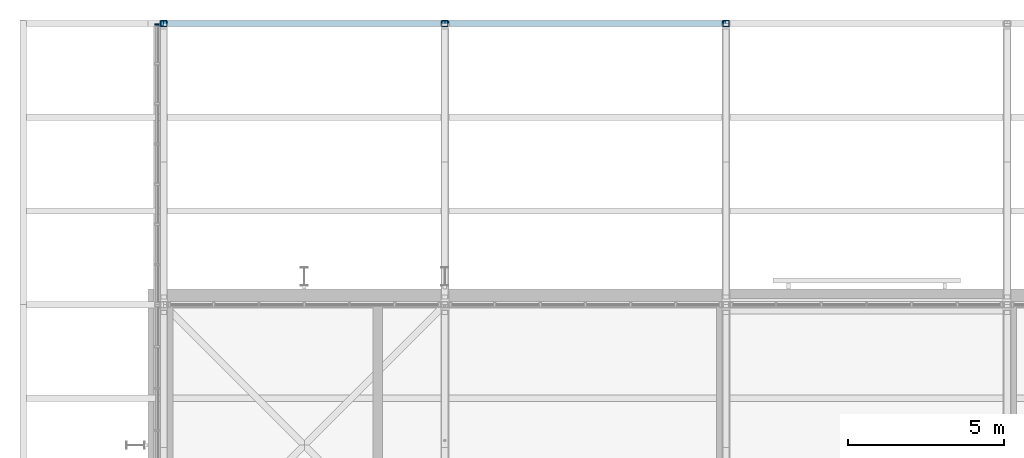
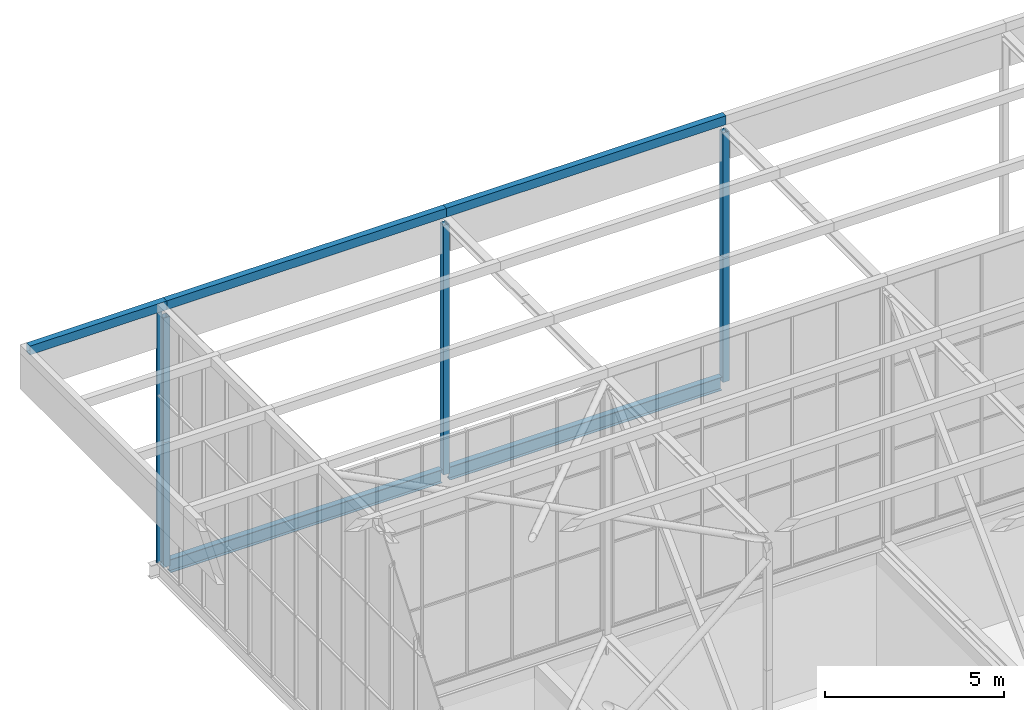
# One storey, part 116 of 646: 10 members, 2 beams, 1 element without a shape of its own.
"""IFC4 building model written with IfcOpenShell, lengths in metres."""

from ifc_helpers import new_model, si_unit, direction, frame, origin, origin_2d, place, context, subcontext, project, spatial, rectangle, hollow_rectangle, i_section, extrude, material, material_profile, profile_set, type_object, element, aggregate, save


model = new_model("IFC4")

# Units and contexts
model_context = context("Model", 3, precision=1e-05, world=origin(), true_north=direction((0.0, 1.0)))
body_context = subcontext(model_context, "Body", "Model", "MODEL_VIEW")
ifc_project = project(units=[si_unit("LENGTHUNIT", "METRE"), si_unit("AREAUNIT", "SQUARE_METRE"), si_unit("VOLUMEUNIT", "CUBIC_METRE"), si_unit("PLANEANGLEUNIT", "RADIAN"), si_unit("MASSUNIT", "GRAM", prefix="KILO")], contexts=[model_context])

# Site, building, storey
site_placement = place(None, origin())
site = spatial("IfcSite", under=ifc_project, at=site_placement, CompositionType="ELEMENT")
building_placement = place(site_placement, origin())
building = spatial("IfcBuilding", under=site, at=building_placement, Name="Silverbay Arena", CompositionType="ELEMENT")
storey_placement = place(building_placement, frame((0.0, 0.0, 33.5)))
storey = spatial("IfcBuildingStorey", under=building, at=storey_placement, Name="L05", CompositionType="ELEMENT", Elevation=33.5)

# Members
ifc_material_1 = material(Name="Steel S355", Category="steel")
ifc_material_profile_1 = material_profile(ifc_material_1, hollow_rectangle(XDim=0.199951171875, YDim=0.199951171875, WallThickness=0.008056640625, at=origin_2d()), Name="SHS 200x200x8")
ifc_profile_set_1 = profile_set([ifc_material_profile_1], Name="Steel S355")
member_type_1 = type_object("IfcMemberType", Name="Medium-span truss vertical SHS 200x200x8", PredefinedType="STRUT", material=ifc_profile_set_1)
for number, where, z_axis, x_axis, name in (
    (1, (72.0, 153.0, 4.254150390625), (0.0, 0.0, 1.0), (1.0, 0.0, 0.0), "ROOF TRUSS 9 vertical 17a"),
    (2, (72.0, 153.0, 8.5), (0.0, 0.0, 1.0), (1.0, 0.0, 0.0), "ROOF TRUSS 9 vertical 17b"),
):
    element("IfcMember", number, at=place(storey_placement, frame(where, z_axis=z_axis, x_axis=x_axis)), inside=storey, type_object=member_type_1, Name=name, PredefinedType="STRUT", context=body_context, shape_type="SweptSolid", body=[
        extrude(hollow_rectangle(XDim=0.199951171875, YDim=0.199951171875, WallThickness=0.008056640625, at=origin_2d()), origin(), (0.0, 0.0, 1.0), 4.245849609375),
    ])

# Curtain wall, member
ifc_material_2 = material(Name="Aluminium framed glazing", Category="aluminium")
curtain_wall_type = type_object("IfcCurtainWallType", Name="Curtain wall clerestory 9000 x 8547", PredefinedType="NOTDEFINED", material=ifc_material_2)
curtain_wall_placement = place(storey_placement, origin())
curtain_wall = element("IfcCurtainWall", 3, at=curtain_wall_placement, inside=storey, type_object=curtain_wall_type, Name="ROOF GABLE CLERESTORY CURTAIN WALL west bay 16", PredefinedType="NOTDEFINED")
ifc_material_3 = material(Name="Aluminium", Category="aluminium")
ifc_material_profile_2 = material_profile(ifc_material_3, rectangle(XDim=0.159912109375, YDim=0.06005859375, at=origin_2d()), Name="Mullion 60 x 160")
ifc_profile_set_2 = profile_set([ifc_material_profile_2], Name="Aluminium")
member_type_2 = type_object("IfcMemberType", Name="Mullion 60 x 160", PredefinedType="MULLION", material=ifc_profile_set_2)
member_1_placement = place(storey_placement, frame((53.7900390625, 152.969970703125, 4.453369140625), z_axis=(0.0, 0.0, 1.0), x_axis=(-1.0, 0.0, 0.0)))
member_1 = element("IfcMember", 4, at=member_1_placement, type_object=member_type_2, Name="CW57 mullion 8", PredefinedType="MULLION", context=body_context, shape_type="SweptSolid", body=[
    extrude(rectangle(XDim=0.159912109375, YDim=0.06005859375, at=origin_2d()), origin(), (0.0, 0.0, 1.0), 8.546630859375),
])
aggregate(curtain_wall, [member_1])

# Members
ifc_material_4 = material(Name="Steel S355", Category="steel")
ifc_material_profile_3 = material_profile(ifc_material_4, hollow_rectangle(XDim=0.199951171875, YDim=0.300048828125, WallThickness=0.008056640625, at=origin_2d()), Name="RHS 300x200x8")
ifc_profile_set_3 = profile_set([ifc_material_profile_3], Name="Steel S355")
member_type_3 = type_object("IfcMemberType", Name="Purlin RHS 300x200x8", PredefinedType="PURLIN", material=ifc_profile_set_3)
for number, where, z_axis, x_axis, name in (
    (5, (54.0, 153.0, 13.14990234375), (1.0, 0.0, 0.0), (0.0, 1.0, 0.0), "ROOF PURLIN 7-8 line 49"),
    (6, (63.0, 153.0, 13.14990234375), (1.0, 0.0, 0.0), (0.0, 1.0, 0.0), "ROOF PURLIN 8-9 line 49"),
):
    element("IfcMember", number, at=place(storey_placement, frame(where, z_axis=z_axis, x_axis=x_axis)), inside=storey, type_object=member_type_3, Name=name, PredefinedType="PURLIN", context=body_context, shape_type="SweptSolid", body=[
        extrude(hollow_rectangle(XDim=0.199951171875, YDim=0.300048828125, WallThickness=0.008056640625, at=origin_2d()), origin(), (0.0, 0.0, 1.0), 9.0),
    ])
member_2_placement = place(storey_placement, frame((49.60009765625, 153.0, 13.14990234375), z_axis=(1.0, 0.0, 0.0), x_axis=(0.0, 1.0, 0.0)))
element("IfcMember", 7, at=member_2_placement, inside=storey, type_object=member_type_3, Name="ROOF PURLIN west eave line 49", PredefinedType="PURLIN", context=body_context, shape_type="SweptSolid", body=[
    extrude(hollow_rectangle(XDim=0.199951171875, YDim=0.300048828125, WallThickness=0.008056640625, at=origin_2d()), origin(), (0.0, 0.0, 1.0), 4.39990234375),
])

# Beams
ifc_material_5 = material(Name="Steel S355", Category="steel")
ifc_material_profile_4 = material_profile(ifc_material_5, i_section(OverallWidth=0.18994140625, OverallDepth=0.453369140625, WebThickness=0.008544921875, FlangeThickness=0.0126953125, at=origin_2d()), Name="UB 457x191x67")
ifc_profile_set_4 = profile_set([ifc_material_profile_4], Name="Steel S355")
beam_type = type_object("IfcBeamType", Name="Ring beam UB 457x191x67", PredefinedType="BEAM", material=ifc_profile_set_4)
for number, where, z_axis, x_axis, name in (
    (8, (54.127197265625, 153.0, 4.226806640625), (1.0, 0.0, 0.0), (0.0, 1.0, 0.0), "RING BEAM north edge 7-8"),
    (9, (63.127197265625, 153.0, 4.226806640625), (1.0, 0.0, 0.0), (0.0, 1.0, 0.0), "RING BEAM north edge 8-9"),
):
    element("IfcBeam", number, at=place(storey_placement, frame(where, z_axis=z_axis, x_axis=x_axis)), inside=storey, type_object=beam_type, Name=name, PredefinedType="BEAM", context=body_context, shape_type="SweptSolid", body=[
        extrude(i_section(OverallWidth=0.18994140625, OverallDepth=0.453369140625, WebThickness=0.008544921875, FlangeThickness=0.0126953125, at=origin_2d()), origin(), (0.0, 0.0, 1.0), 8.74560546875),
    ])

# Members
ifc_material_6 = material(Name="Steel S355", Category="steel")
ifc_material_profile_5 = material_profile(ifc_material_6, hollow_rectangle(XDim=0.199951171875, YDim=0.199951171875, WallThickness=0.008056640625, at=origin_2d()), Name="SHS 200x200x8")
ifc_profile_set_5 = profile_set([ifc_material_profile_5], Name="Steel S355")
member_type_4 = type_object("IfcMemberType", Name="Short-span truss vertical SHS 200x200x8", PredefinedType="STRUT", material=ifc_profile_set_5)
for number, where, z_axis, x_axis, name in (
    (10, (54.0, 153.0, 4.254150390625), (0.0, 0.0, 1.0), (1.0, 0.0, 0.0), "ROOF TRUSS 7 vertical 17a"),
    (11, (54.0, 153.0, 8.5), (0.0, 0.0, 1.0), (1.0, 0.0, 0.0), "ROOF TRUSS 7 vertical 17b"),
    (12, (63.0, 153.0, 4.254150390625), (0.0, 0.0, 1.0), (1.0, 0.0, 0.0), "ROOF TRUSS 8 vertical 17a"),
    (13, (63.0, 153.0, 8.5), (0.0, 0.0, 1.0), (1.0, 0.0, 0.0), "ROOF TRUSS 8 vertical 17b"),
):
    element("IfcMember", number, at=place(storey_placement, frame(where, z_axis=z_axis, x_axis=x_axis)), inside=storey, type_object=member_type_4, Name=name, PredefinedType="STRUT", context=body_context, shape_type="SweptSolid", body=[
        extrude(hollow_rectangle(XDim=0.199951171875, YDim=0.199951171875, WallThickness=0.008056640625, at=origin_2d()), origin(), (0.0, 0.0, 1.0), 4.245849609375),
    ])

save(model, "model.ifc")
